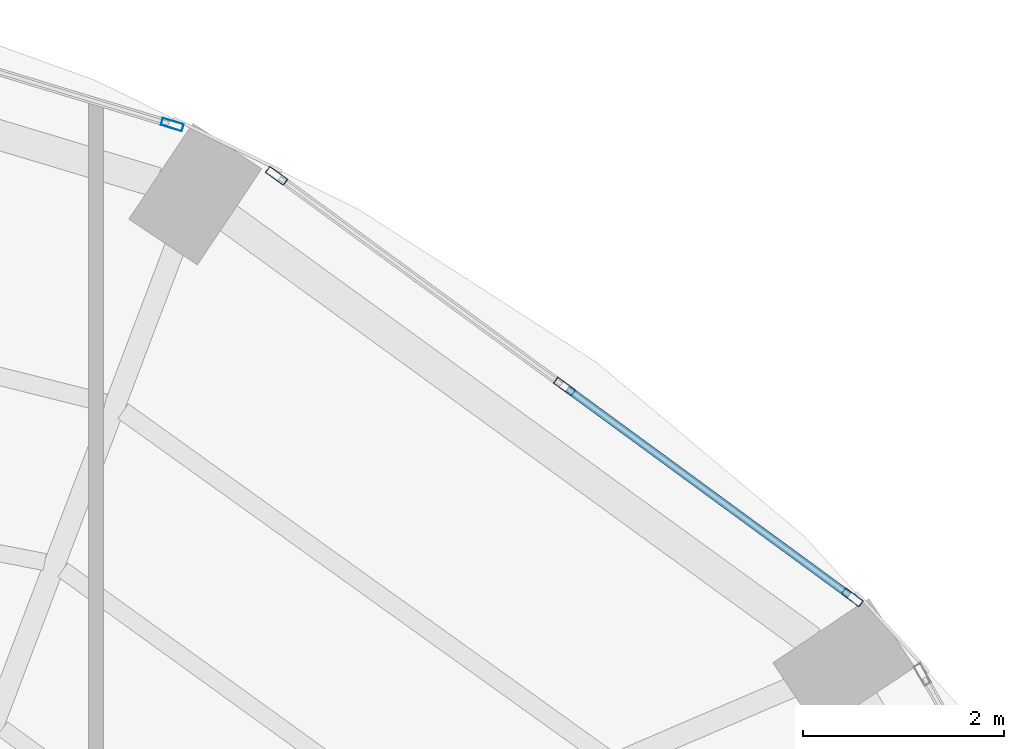
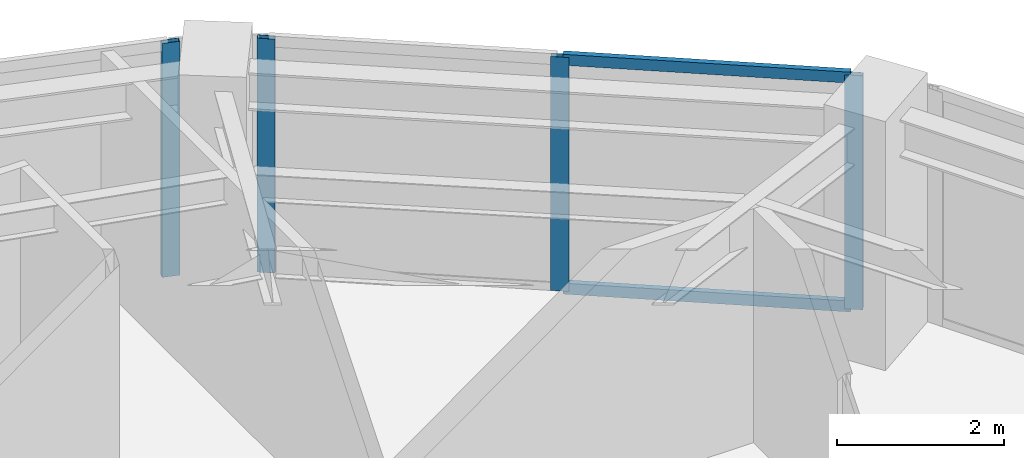
# One storey, part 14 of 20: 6 members, 2 elements without a shape of their own.
"""IFC4 building model written with IfcOpenShell, lengths in metres."""

from ifc_helpers import new_model, si_unit, direction, frame, origin, origin_2d, place, context, subcontext, project, spatial, hollow_rectangle, extrude, material, layer, layer_set, material_profile, profile_set, type_object, element, aggregate, save


model = new_model("IFC4")

# Units and contexts
model_context = context("Model", 3, precision=1e-05, world=origin(), true_north=direction((0.0, 1.0)))
body_context = subcontext(model_context, "Body", "Model", "MODEL_VIEW")
ifc_project = project(units=[si_unit("LENGTHUNIT", "METRE"), si_unit("AREAUNIT", "SQUARE_METRE"), si_unit("VOLUMEUNIT", "CUBIC_METRE"), si_unit("PLANEANGLEUNIT", "RADIAN"), si_unit("MASSUNIT", "GRAM", prefix="KILO")], contexts=[model_context])

# Site, building, storey
site_placement = place(None, origin())
site = spatial("IfcSite", under=ifc_project, at=site_placement, CompositionType="ELEMENT")
building_placement = place(site_placement, origin())
building = spatial("IfcBuilding", under=site, at=building_placement, Name="Lazwardi Medical Tower", CompositionType="ELEMENT")
storey_placement = place(building_placement, frame((0.0, 0.0, 145.583984375)))
storey = spatial("IfcBuildingStorey", under=building, at=storey_placement, Name="L37", CompositionType="ELEMENT", Elevation=145.583984375)

# Curtain wall, members
ifc_material_1 = material(Name="Anodised bronze aluminium and solar control glazing", Category="aluminium")
ifc_layer = layer(ifc_material_1, 0.195068359375)
ifc_layer_set = layer_set([ifc_layer], Name="Anodised bronze aluminium and solar control glazing")
curtain_wall_type = type_object("IfcCurtainWallType", Name="CW-SYS-03", PredefinedType="NOTDEFINED", material=ifc_layer_set)
curtain_wall_1_placement = place(storey_placement, origin())
curtain_wall_1 = element("IfcCurtainWall", 1, at=curtain_wall_1_placement, inside=storey, type_object=curtain_wall_type, Name="L37 Unitised bronze curtain wall CW-03", PredefinedType="NOTDEFINED")
ifc_material_2 = material(Name="Anodised bronze aluminium", Category="aluminium")
ifc_material_profile_1 = material_profile(ifc_material_2, hollow_rectangle(XDim=0.074951171875, YDim=0.219970703125, WallThickness=0.00390625, at=origin_2d()), Name="ALU-MULLION 220x75x4")
ifc_profile_set_1 = profile_set([ifc_material_profile_1], Name="Anodised bronze aluminium")
member_type_1 = type_object("IfcMemberType", Name="CW-MUL-01", PredefinedType="MULLION", material=ifc_profile_set_1)
member_1_placement = place(storey_placement, frame((55.519775390625, 40.5029296875, 0.0), z_axis=(0.0, 0.0, 1.0), x_axis=(-0.590833862635, -0.806793249082, 0.0)))
member_1 = element("IfcMember", 2, at=member_1_placement, type_object=member_type_1, Name="CW-03 mullion 1", PredefinedType="MULLION", context=body_context, shape_type="SweptSolid", body=[
    extrude(hollow_rectangle(XDim=0.074951171875, YDim=0.219970703125, WallThickness=0.00390625, at=origin_2d()), origin(), (0.0, 0.0, 1.0), 3.427978515625),
])
member_2_placement = place(storey_placement, frame((52.65771484375, 42.598876953125, 0.0), z_axis=(0.0, 0.0, 1.0), x_axis=(-0.590833862635, -0.806793249082, 0.0)))
member_2 = element("IfcMember", 3, at=member_2_placement, type_object=member_type_1, Name="CW-03 mullion 2", PredefinedType="MULLION", context=body_context, shape_type="SweptSolid", body=[
    extrude(hollow_rectangle(XDim=0.074951171875, YDim=0.219970703125, WallThickness=0.00390625, at=origin_2d()), origin(), (0.0, 0.0, 1.0), 3.427978515625),
])
member_3_placement = place(storey_placement, frame((49.795654296875, 44.69482421875, 0.0), z_axis=(0.0, 0.0, 1.0), x_axis=(-0.590833862635, -0.806793249082, 0.0)))
member_3 = element("IfcMember", 4, at=member_3_placement, type_object=member_type_1, Name="CW-03 mullion 3", PredefinedType="MULLION", context=body_context, shape_type="SweptSolid", body=[
    extrude(hollow_rectangle(XDim=0.074951171875, YDim=0.219970703125, WallThickness=0.00390625, at=origin_2d()), origin(), (0.0, 0.0, 1.0), 3.427978515625),
])

# Curtain wall, member
curtain_wall_2_placement = place(storey_placement, origin())
curtain_wall_2 = element("IfcCurtainWall", 5, at=curtain_wall_2_placement, inside=storey, type_object=curtain_wall_type, Name="L37 Unitised bronze curtain wall CW-03", PredefinedType="NOTDEFINED")
member_4_placement = place(storey_placement, frame((48.758056640625, 45.203369140625, 0.0), z_axis=(0.0, 0.0, 1.0), x_axis=(-0.290280785441, -0.956941516292, 0.0)))
member_4 = element("IfcMember", 6, at=member_4_placement, type_object=member_type_1, Name="CW-03 mullion 1", PredefinedType="MULLION", context=body_context, shape_type="SweptSolid", body=[
    extrude(hollow_rectangle(XDim=0.074951171875, YDim=0.219970703125, WallThickness=0.00390625, at=origin_2d()), origin(), (0.0, 0.0, 1.0), 3.427978515625),
])
aggregate(curtain_wall_2, [member_4])

# Member
ifc_material_profile_2 = material_profile(ifc_material_2, hollow_rectangle(XDim=0.074951171875, YDim=0.159912109375, WallThickness=0.00390625, at=origin_2d()), Name="ALU-TRANSOM 160x75x4")
ifc_profile_set_2 = profile_set([ifc_material_profile_2], Name="Anodised bronze aluminium")
member_type_2 = type_object("IfcMemberType", Name="CW-TRN-01", PredefinedType="USERDEFINED", material=ifc_profile_set_2)
member_5_placement = place(storey_placement, frame((55.489501953125, 40.525146484375, 0.03759765625), z_axis=(-0.806807161185, 0.590814864962, 0.0), x_axis=(-0.590814864962, -0.806807161185, 0.0)))
member_5 = element("IfcMember", 7, at=member_5_placement, type_object=member_type_2, Name="CW-03 transom 1.1", ObjectType="TRANSOM", PredefinedType="USERDEFINED", context=body_context, shape_type="SweptSolid", body=[
    extrude(hollow_rectangle(XDim=0.074951171875, YDim=0.159912109375, WallThickness=0.00390625, at=origin_2d()), origin(), (0.0, 0.0, 1.0), 3.472412109375),
])

member_6_placement = place(storey_placement, frame((55.489501953125, 40.525146484375, 3.390625), z_axis=(-0.806807161185, 0.590814864962, 0.0), x_axis=(-0.590814864962, -0.806807161185, 0.0)))
member_6 = element("IfcMember", 8, at=member_6_placement, type_object=member_type_2, Name="CW-03 transom 1.2", ObjectType="TRANSOM", PredefinedType="USERDEFINED", context=body_context, shape_type="SweptSolid", body=[
    extrude(hollow_rectangle(XDim=0.074951171875, YDim=0.159912109375, WallThickness=0.00390625, at=origin_2d()), origin(), (0.0, 0.0, 1.0), 3.472412109375),
])

aggregate(curtain_wall_1, [member_1, member_2, member_3, member_5, member_6])

save(model, "model.ifc")
